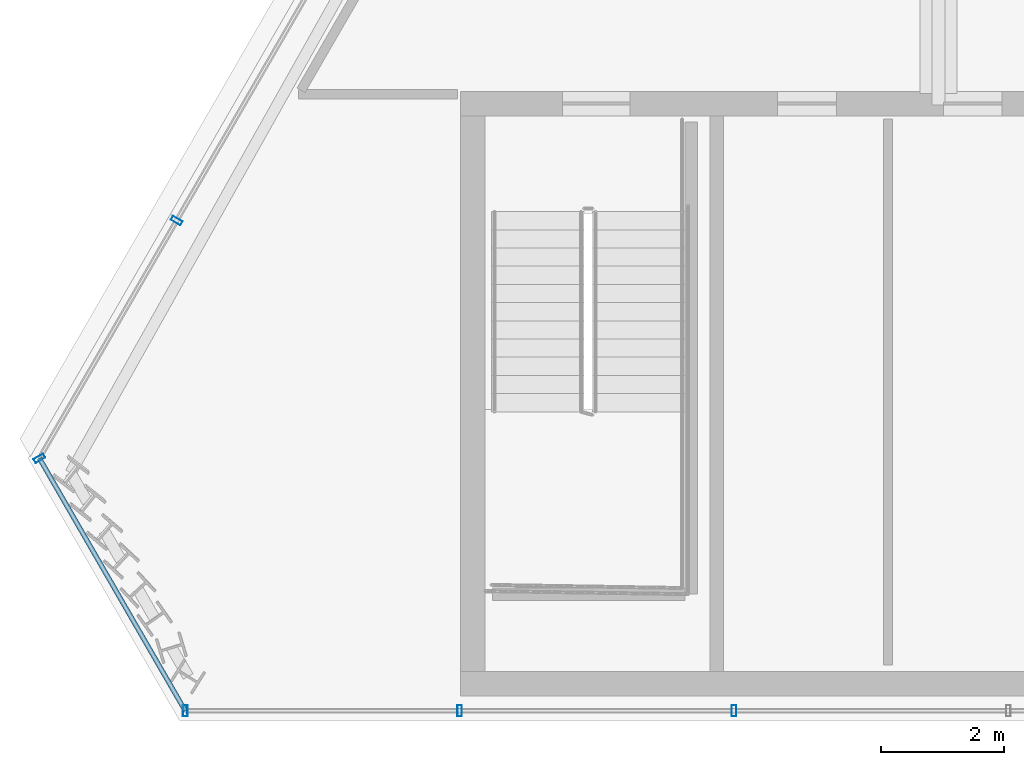
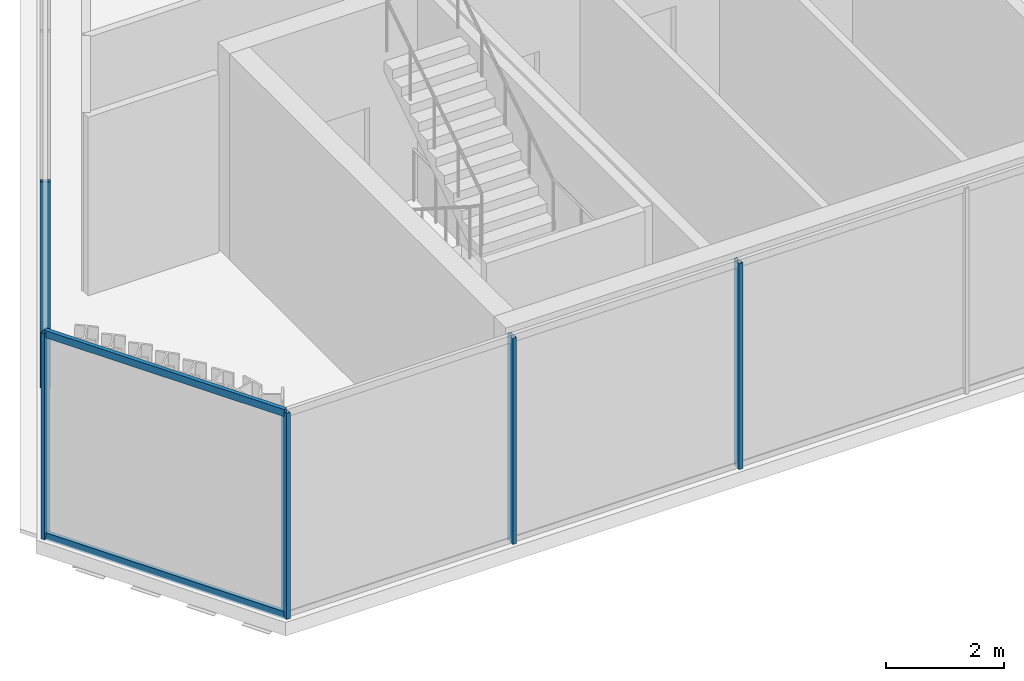
# One storey, part 3 of 32: 7 members, 3 elements without a shape of their own.
"""IFC4 building model written with IfcOpenShell, lengths in metres."""

from ifc_helpers import new_model, si_unit, direction, frame, origin, origin_2d, place, context, subcontext, project, spatial, hollow_rectangle, extrude, material, layer, layer_set, material_profile, profile_set, type_object, element, aggregate, save


model = new_model("IFC4")

# Units and contexts
model_context = context("Model", 3, precision=1e-05, world=origin(), true_north=direction((0.0, 1.0)))
body_context = subcontext(model_context, "Body", "Model", "MODEL_VIEW")
ifc_project = project(units=[si_unit("LENGTHUNIT", "METRE"), si_unit("AREAUNIT", "SQUARE_METRE"), si_unit("VOLUMEUNIT", "CUBIC_METRE"), si_unit("PLANEANGLEUNIT", "RADIAN"), si_unit("MASSUNIT", "GRAM", prefix="KILO")], contexts=[model_context])

# Site, building, storey
site_placement = place(None, origin())
site = spatial("IfcSite", under=ifc_project, at=site_placement, CompositionType="ELEMENT")
building_placement = place(site_placement, origin())
building = spatial("IfcBuilding", under=site, at=building_placement, Name="Ndaravel Arena Tower", CompositionType="ELEMENT")
storey_placement = place(building_placement, frame((0.0, 0.0, 278.800048828125)))
storey = spatial("IfcBuildingStorey", under=building, at=storey_placement, Name="L68", CompositionType="ELEMENT", Elevation=278.800048828125)

# Curtain wall, members
ifc_material_1 = material(Name="Aluminium", Category="aluminium")
ifc_layer_1 = layer(ifc_material_1, 0.179931640625)
ifc_layer_set_1 = layer_set([ifc_layer_1], Name="Aluminium")
curtain_wall_type_1 = type_object("IfcCurtainWallType", Name="CW-SYS-03", PredefinedType="NOTDEFINED", material=ifc_layer_set_1)
curtain_wall_1_placement = place(storey_placement, origin())
curtain_wall_1 = element("IfcCurtainWall", 1, at=curtain_wall_1_placement, inside=storey, type_object=curtain_wall_type_1, Name="L68 Faceted Crystal Curtain Wall CW-L68-E01", PredefinedType="NOTDEFINED")
ifc_material_2 = material(Name="Aluminium", Category="aluminium")
ifc_material_profile_1 = material_profile(ifc_material_2, hollow_rectangle(XDim=0.074951171875, YDim=0.179931640625, WallThickness=0.00390625, at=origin_2d()), Name="CW MULLION 75x180x4")
ifc_profile_set_1 = profile_set([ifc_material_profile_1], Name="Aluminium")
member_type_1 = type_object("IfcMemberType", Name="MEM-CW-MUL180", PredefinedType="MULLION", material=ifc_profile_set_1)
member_1_placement = place(storey_placement, frame((21.98876953125, 5.159912109375, 0.0), z_axis=(0.0, 0.0, 1.0), x_axis=(1.0, 0.0, 0.0)))
member_1 = element("IfcMember", 2, at=member_1_placement, type_object=member_type_1, Name="CW-L68-E01 Mullion 00", PredefinedType="MULLION", context=body_context, shape_type="SweptSolid", body=[
    extrude(hollow_rectangle(XDim=0.074951171875, YDim=0.179931640625, WallThickness=0.00390625, at=origin_2d()), origin(), (0.0, 0.0, 1.0), 4.280029296875),
])
member_2_placement = place(storey_placement, frame((26.435791015625, 5.159912109375, 0.0), z_axis=(0.0, 0.0, 1.0), x_axis=(1.0, 0.0, 0.0)))
member_2 = element("IfcMember", 3, at=member_2_placement, type_object=member_type_1, Name="CW-L68-E01 Mullion 01", PredefinedType="MULLION", context=body_context, shape_type="SweptSolid", body=[
    extrude(hollow_rectangle(XDim=0.074951171875, YDim=0.179931640625, WallThickness=0.00390625, at=origin_2d()), origin(), (0.0, 0.0, 1.0), 4.280029296875),
])
member_3_placement = place(storey_placement, frame((30.882568359375, 5.159912109375, 0.0), z_axis=(0.0, 0.0, 1.0), x_axis=(1.0, 0.0, 0.0)))
member_3 = element("IfcMember", 4, at=member_3_placement, type_object=member_type_1, Name="CW-L68-E01 Mullion 02", PredefinedType="MULLION", context=body_context, shape_type="SweptSolid", body=[
    extrude(hollow_rectangle(XDim=0.074951171875, YDim=0.179931640625, WallThickness=0.00390625, at=origin_2d()), origin(), (0.0, 0.0, 1.0), 4.280029296875),
])
aggregate(curtain_wall_1, [member_1, member_2, member_3])

# Curtain wall, member
curtain_wall_2_placement = place(storey_placement, origin())
curtain_wall_2 = element("IfcCurtainWall", 5, at=curtain_wall_2_placement, inside=storey, type_object=curtain_wall_type_1, Name="L68 Faceted Crystal Curtain Wall CW-L68-E05", PredefinedType="NOTDEFINED")
member_4_placement = place(storey_placement, frame((21.849853515625, 13.10302734375, 0.0), z_axis=(0.0, 0.0, 1.0), x_axis=(-0.5, -0.866025403784, 0.0)))
member_4 = element("IfcMember", 6, at=member_4_placement, type_object=member_type_1, Name="CW-L68-E05 Mullion 08", PredefinedType="MULLION", context=body_context, shape_type="SweptSolid", body=[
    extrude(hollow_rectangle(XDim=0.074951171875, YDim=0.179931640625, WallThickness=0.00390625, at=origin_2d()), origin(), (0.0, 0.0, 1.0), 4.280029296875),
])
aggregate(curtain_wall_2, [member_4])

# Curtain wall, members
ifc_material_3 = material(Name="Aluminium", Category="aluminium")
ifc_layer_2 = layer(ifc_material_3, 0.179931640625)
ifc_layer_set_2 = layer_set([ifc_layer_2], Name="Aluminium")
curtain_wall_type_2 = type_object("IfcCurtainWallType", Name="CW-SYS-02", PredefinedType="NOTDEFINED", material=ifc_layer_set_2)
curtain_wall_3_placement = place(storey_placement, origin())
curtain_wall_3 = element("IfcCurtainWall", 7, at=curtain_wall_3_placement, inside=storey, type_object=curtain_wall_type_2, Name="L68 Faceted Crystal Curtain Wall CW-L68-E06", PredefinedType="NOTDEFINED")
member_5_placement = place(storey_placement, frame((19.626220703125, 9.251708984375, 0.0), z_axis=(0.0, 0.0, 1.0), x_axis=(0.5, -0.866025403784, 0.0)))
member_5 = element("IfcMember", 8, at=member_5_placement, type_object=member_type_1, Name="CW-L68-E06 Mullion 00", PredefinedType="MULLION", context=body_context, shape_type="SweptSolid", body=[
    extrude(hollow_rectangle(XDim=0.074951171875, YDim=0.179931640625, WallThickness=0.00390625, at=origin_2d()), origin(), (0.0, 0.0, 1.0), 4.280029296875),
])
ifc_material_4 = material(Name="Aluminium", Category="aluminium")
ifc_material_profile_2 = material_profile(ifc_material_4, hollow_rectangle(XDim=0.074951171875, YDim=0.14990234375, WallThickness=0.00390625, at=origin_2d()), Name="CW TRANSOM 75x150x4")
ifc_profile_set_2 = profile_set([ifc_material_profile_2], Name="Aluminium")
member_type_2 = type_object("IfcMemberType", Name="MEM-CW-TRN150", PredefinedType="USERDEFINED", material=ifc_profile_set_2)
member_6_placement = place(storey_placement, frame((19.626220703125, 9.251708984375, 0.0400390625), z_axis=(0.500023619628, -0.866011766556, 0.0), x_axis=(0.866011766556, 0.500023619628, 0.0)))
member_6 = element("IfcMember", 9, at=member_6_placement, type_object=member_type_2, Name="CW-L68-E06 Transom 01", ObjectType="TRANSOM", PredefinedType="USERDEFINED", context=body_context, shape_type="SweptSolid", body=[
    extrude(hollow_rectangle(XDim=0.074951171875, YDim=0.14990234375, WallThickness=0.00390625, at=origin_2d()), origin(), (0.0, 0.0, 1.0), 4.724853515625),
])
member_7_placement = place(storey_placement, frame((19.626220703125, 9.251708984375, 4.239990234375), z_axis=(0.500023619628, -0.866011766556, 0.0), x_axis=(0.866011766556, 0.500023619628, 0.0)))
member_7 = element("IfcMember", 10, at=member_7_placement, type_object=member_type_2, Name="CW-L68-E06 Transom 02", ObjectType="TRANSOM", PredefinedType="USERDEFINED", context=body_context, shape_type="SweptSolid", body=[
    extrude(hollow_rectangle(XDim=0.074951171875, YDim=0.14990234375, WallThickness=0.00390625, at=origin_2d()), origin(), (0.0, 0.0, 1.0), 4.724853515625),
])
aggregate(curtain_wall_3, [member_5, member_6, member_7])

save(model, "model.ifc")
